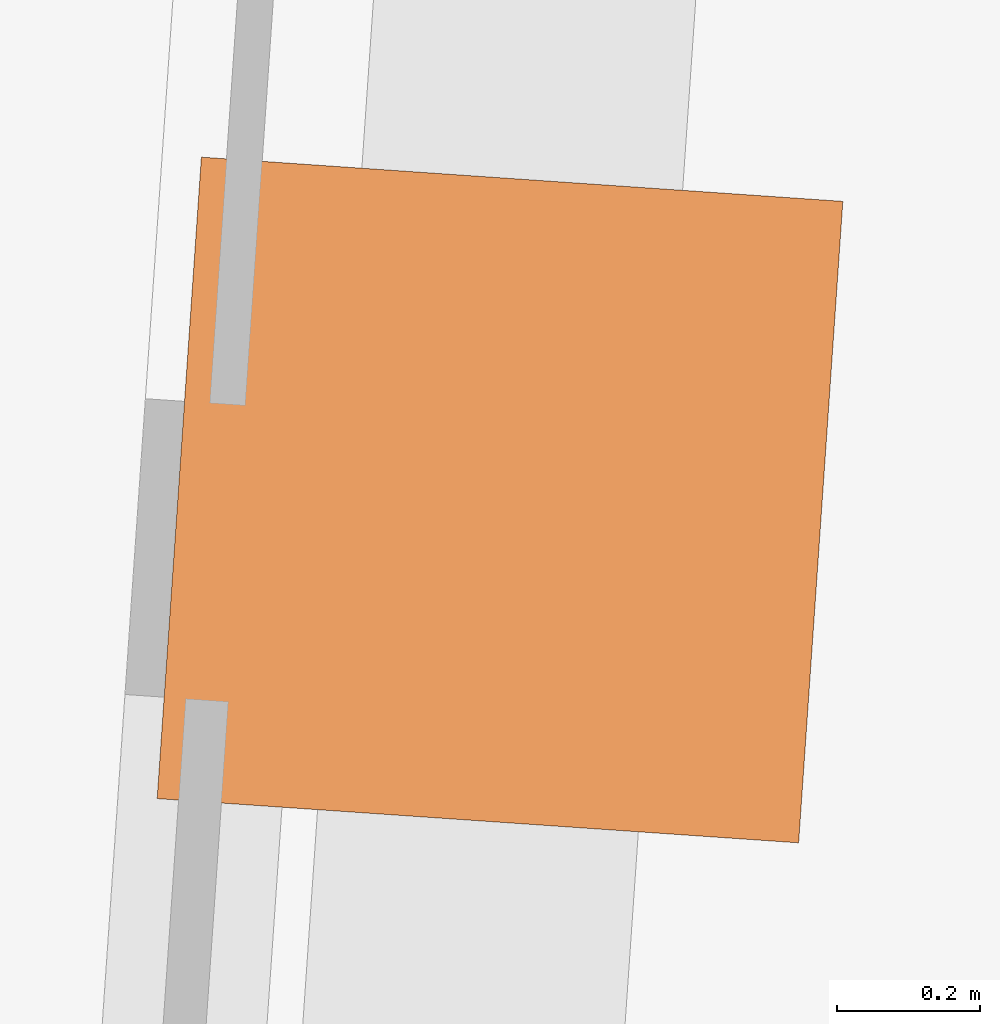
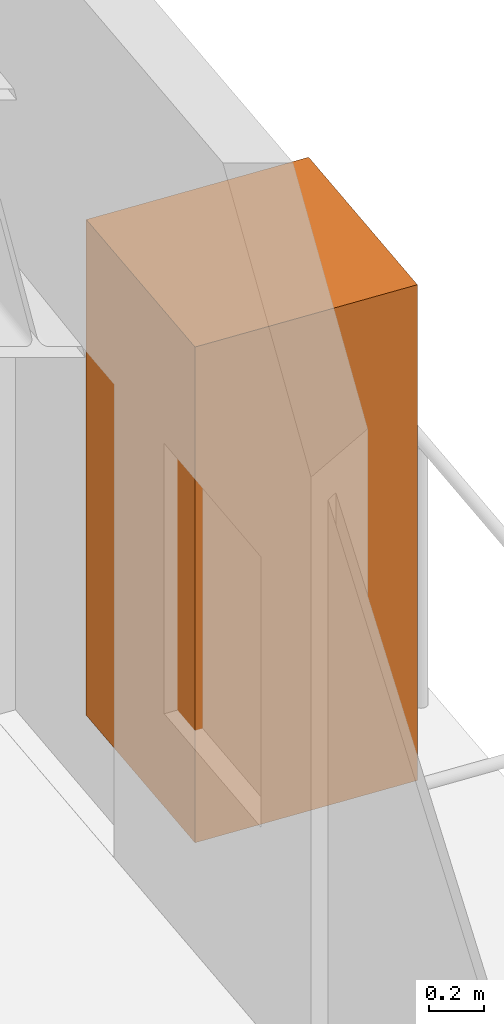
# One storey, part 10 of 10: 1 geographic element.
"""IFC4 building model written with IfcOpenShell, lengths in metres."""

import ifcopenshell
import ifcopenshell.guid

model = None  # the IFC model being written
_history = None  # IfcOwnerHistory: only IFC2X3 demands one
_inside = {}  # id of a spatial element -> (the spatial element, [elements in it])
_under = {}  # id of a project, library or spatial element -> (it, [spatial elements below it])
_declared = {}  # id of a project -> (the project, [libraries it declares])
_typed = {}  # id of a type object -> (the type object, [elements of that type])
_made_of = {}  # id of a material, layer set ... -> (it, [elements and type objects made of it])


def new_model(schema):
    """Start an empty IFC model of exactly this schema.

    Asked for "IFC4X3", IfcOpenShell would pick the latest addendum, in which some entities
    have other attributes; the version numbers below select the first issue.
    IFC2X3 requires an IfcOwnerHistory on every rooted entity: one is made here for all.
    """
    global model, _history
    if schema == "IFC4X3":
        model = ifcopenshell.file(schema_version=(4, 3, 0, 0))
    else:
        model = ifcopenshell.file(schema=schema)
    _inside.clear()
    _under.clear()
    _declared.clear()
    _typed.clear()
    _made_of.clear()
    _history = None
    if model.schema == "IFC2X3":
        org = make("IfcOrganization", Name="unknown")
        user = make(
            "IfcPersonAndOrganization",
            ThePerson=make("IfcPerson", FamilyName="unknown"),
            TheOrganization=org,
        )
        app = make(
            "IfcApplication",
            ApplicationDeveloper=org,
            Version="unknown",
            ApplicationFullName="unknown",
            ApplicationIdentifier="unknown",
        )
        _history = make(
            "IfcOwnerHistory",
            OwningUser=user,
            OwningApplication=app,
            ChangeAction="ADDED",
            CreationDate=0,
        )
    return model


def make(cls, **values):
    """One entity of the class cls with the attributes given. An attribute that is None is left unset."""
    return model.create_entity(
        cls, **{name: value for name, value in values.items() if value is not None}
    )


def rooted(cls, **values):
    """An entity with a GlobalId (a new one), such as an element, a storey or a relation."""
    return make(cls, GlobalId=ifcopenshell.guid.new(), OwnerHistory=_history, **values)


def si_unit(unit_type, name, prefix=None):
    """IfcSIUnit, for example si_unit("LENGTHUNIT", "METRE", prefix="MILLI")."""
    return make("IfcSIUnit", UnitType=unit_type, Prefix=prefix, Name=name)


def assignment(units):
    """IfcUnitAssignment: the units of a project."""
    return None if units is None else make("IfcUnitAssignment", Units=units)


def point(xyz):
    """IfcCartesianPoint."""
    return None if xyz is None else make("IfcCartesianPoint", Coordinates=xyz)


def direction(xyz):
    """IfcDirection."""
    return None if xyz is None else make("IfcDirection", DirectionRatios=xyz)


def frame(location, z_axis=None, x_axis=None):
    """IfcAxis2Placement3D, a coordinate frame: its origin and axes. An axis left out is left unset."""
    return make(
        "IfcAxis2Placement3D",
        Location=point(location),
        Axis=direction(z_axis),
        RefDirection=direction(x_axis),
    )


def frame_2d(location, x_axis=None):
    """IfcAxis2Placement2D, a coordinate frame in the plane: its origin and x axis."""
    return make(
        "IfcAxis2Placement2D", Location=point(location), RefDirection=direction(x_axis)
    )


def origin():
    """The frame at (0, 0, 0) with its axes left unset."""
    return frame((0.0, 0.0, 0.0))


def origin_2d():
    """The frame at (0, 0) in the plane with its x axis left unset."""
    return frame_2d((0.0, 0.0))


def place(relative_to, where):
    """IfcLocalPlacement: puts the frame where relative to a parent placement (None: the world)."""
    return make(
        "IfcLocalPlacement", PlacementRelTo=relative_to, RelativePlacement=where
    )


def context(
    kind, dimensions, precision=None, world=None, true_north=None, identifier=None
):
    """IfcGeometricRepresentationContext, for example the 3D "Model" context."""
    return make(
        "IfcGeometricRepresentationContext",
        ContextIdentifier=identifier,
        ContextType=kind,
        CoordinateSpaceDimension=dimensions,
        Precision=precision,
        WorldCoordinateSystem=world,
        TrueNorth=true_north,
    )


def subcontext(parent, identifier, kind, view, scale=None):
    """IfcGeometricRepresentationSubContext, for example "Body" below "Model"."""
    return make(
        "IfcGeometricRepresentationSubContext",
        ContextIdentifier=identifier,
        ContextType=kind,
        ParentContext=parent,
        TargetScale=scale,
        TargetView=view,
    )


def project(units=None, contexts=None):
    """IfcProject with its units and contexts."""
    return rooted(
        "IfcProject",
        Name="project",
        RepresentationContexts=contexts,
        UnitsInContext=assignment(units),
    )


def spatial(cls, under=None, at=None, **own):
    """A site, building, storey or space (cls), placed at a placement, below another one or the project."""
    s = rooted(cls, ObjectPlacement=at, **own)
    if under is not None:
        _under.setdefault(under.id(), (under, []))[1].append(s)
    return s


def profile(cls, at=None, kind="AREA", **sizes):
    """A parametric profile (cls). Its sizes go by their IFC names, for example OverallWidth=200.0."""
    return make(cls, ProfileType=kind, Position=at, **sizes)


def rectangle(**sizes):
    """IfcRectangleProfileDef."""
    return profile("IfcRectangleProfileDef", **sizes)


def extrude(swept, where, along, depth):
    """IfcExtrudedAreaSolid: the profile swept, set in the frame where, extruded along a direction by depth."""
    return make(
        "IfcExtrudedAreaSolid",
        SweptArea=swept,
        Position=where,
        ExtrudedDirection=direction(along),
        Depth=depth,
    )


def shape(context_of_items, identifier, shape_type, items):
    """IfcShapeRepresentation: the items that make up one representation, for example the "Body"."""
    return make(
        "IfcShapeRepresentation",
        ContextOfItems=context_of_items,
        RepresentationIdentifier=identifier,
        RepresentationType=shape_type,
        Items=items,
    )


def material(Name=None, Category=None):
    """IfcMaterial."""
    return make("IfcMaterial", Name=Name, Category=Category)


def made_of(thing, what):
    """Note that an element or type object is made of a material, layer set ...; save() writes the relation."""
    if what is not None:
        _made_of.setdefault(what.id(), (what, []))[1].append(thing)
    return thing


def type_object(cls, material=None, **own):
    """A type object (cls), such as IfcWallType, which elements share."""
    return made_of(rooted(cls, **own), material)


def element(
    cls,
    number,
    at=None,
    inside=None,
    cuts=None,
    type_object=None,
    material=None,
    context=None,
    identifier="Body",
    shape_type=None,
    held_by="IfcProductDefinitionShape",
    body=None,
    shapes=None,
    **own,
):
    """One element of the class cls, such as IfcWall. Its Tag is "e" and its number.

    at: its placement. inside: the storey or other place that contains it. cuts: it is an
    opening in that element (IfcRelVoidsElement). A single representation is given by context,
    identifier, shape_type and body (its items); several are given by shapes. held_by: the class
    of the entity that holds the representations. save() writes the other relations.
    """
    e = rooted(cls, Tag="e%d" % number, ObjectPlacement=at, **own)
    if body is not None:
        shapes = [shape(context, identifier, shape_type, body)]
    if shapes is not None:
        e.Representation = make(held_by, Representations=shapes)
    if inside is not None:
        _inside.setdefault(inside.id(), (inside, []))[1].append(e)
    if cuts is not None:
        rooted(
            "IfcRelVoidsElement", RelatingBuildingElement=cuts, RelatedOpeningElement=e
        )
    if type_object is not None:
        _typed.setdefault(type_object.id(), (type_object, []))[1].append(e)
    return made_of(e, material)


def aggregate(whole, parts):
    """IfcRelAggregates: a whole, such as a stair, and the parts it consists of."""
    return rooted("IfcRelAggregates", RelatingObject=whole, RelatedObjects=parts)


def save(model, path):
    """Write the relations noted so far, then the file.

    IfcRelAggregates (storeys below a building ...), IfcRelContainedInSpatialStructure (elements
    in a storey), IfcRelDefinesByType, IfcRelAssociatesMaterial and IfcRelDeclares: one each for
    every whole, place, type object, material and project.
    """
    for whole, parts in _under.values():
        aggregate(whole, parts)
    for where, things in _inside.values():
        rooted(
            "IfcRelContainedInSpatialStructure",
            RelatedElements=things,
            RelatingStructure=where,
        )
    for kind, things in _typed.values():
        rooted("IfcRelDefinesByType", RelatedObjects=things, RelatingType=kind)
    for what, things in _made_of.values():
        rooted("IfcRelAssociatesMaterial", RelatedObjects=things, RelatingMaterial=what)
    for by, libraries in _declared.values():
        rooted("IfcRelDeclares", RelatingContext=by, RelatedDefinitions=libraries)
    model.write(path)


model = new_model("IFC4")

# Units and contexts
model_context = context("Model", 3, precision=1e-05, world=origin(), true_north=direction((0.0, 1.0)))
body_context = subcontext(model_context, "Body", "Model", "MODEL_VIEW")
ifc_project = project(units=[si_unit("LENGTHUNIT", "METRE"), si_unit("AREAUNIT", "SQUARE_METRE"), si_unit("VOLUMEUNIT", "CUBIC_METRE"), si_unit("PLANEANGLEUNIT", "RADIAN"), si_unit("MASSUNIT", "GRAM", prefix="KILO")], contexts=[model_context])

# Site, building, storey
site_placement = place(None, origin())
site = spatial("IfcSite", under=ifc_project, at=site_placement, CompositionType="ELEMENT")
building_placement = place(site_placement, origin())
building = spatial("IfcBuilding", under=site, at=building_placement, Name="Verdant Reach Tower", CompositionType="ELEMENT")
storey_placement = place(building_placement, frame((0.0, 0.0, 322.0)))
storey = spatial("IfcBuildingStorey", under=building, at=storey_placement, Name="L74", CompositionType="ELEMENT", Elevation=322.0)

# Geographic element
ifc_material = material(Name="Planting")
geographic_element_type = type_object("IfcGeographicElementType", Name="EN-TREE", PredefinedType="USERDEFINED", material=ifc_material)
geographic_element_placement = place(storey_placement, frame((21.218017578125, 55.197509765625, 0.39990234375), z_axis=(0.0, 0.0, 1.0), x_axis=(0.068802091615, 0.997630328423, 0.0)))
element("IfcGeographicElement", 1, at=geographic_element_placement, inside=storey, type_object=geographic_element_type, Name="Balcony tree, Guabiroba (Campomanesia xanthocarpa), L74 1", ObjectType="TREE", PredefinedType="USERDEFINED", context=body_context, shape_type="SweptSolid", body=[
    extrude(rectangle(XDim=0.89990234375, YDim=0.89990234375, at=origin_2d()), origin(), (0.0, 0.0, 1.0), 2.199951171875),
])

save(model, "model.ifc")
